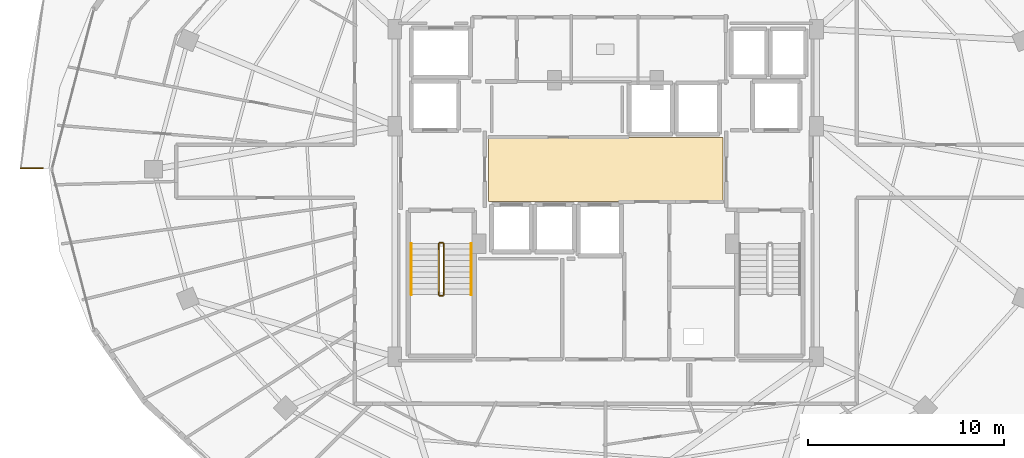
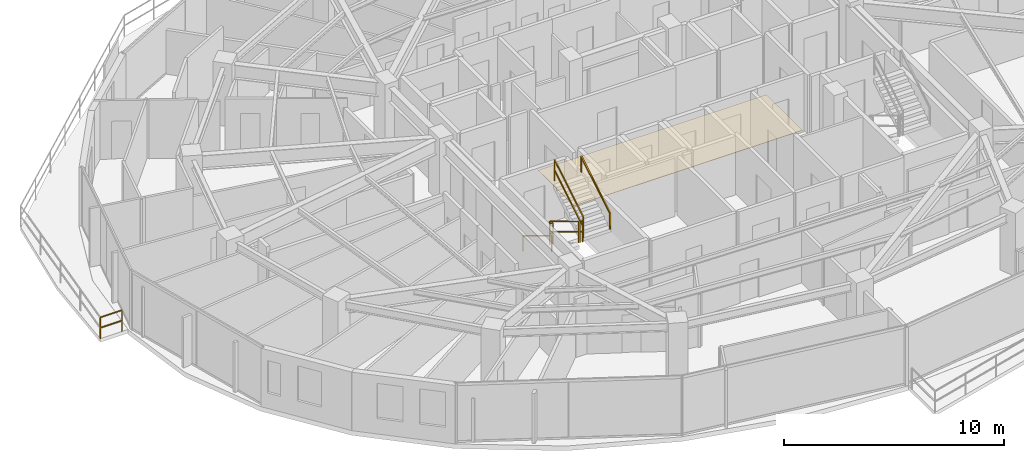
# One storey, part 30 of 33: 7 railings, 1 covering.
"""IFC4 building model written with IfcOpenShell, lengths in metres."""

from ifc_helpers import new_model, si_unit, direction, frame, origin, origin_2d, place, context, subcontext, project, spatial, polyline, rectangle, outline, extrude, material, layer, layer_set, type_object, element, save


model = new_model("IFC4")

# Units and contexts
model_context = context("Model", 3, precision=1e-05, world=origin(), true_north=direction((0.0, 1.0)))
body_context = subcontext(model_context, "Body", "Model", "MODEL_VIEW")
ifc_project = project(units=[si_unit("LENGTHUNIT", "METRE"), si_unit("AREAUNIT", "SQUARE_METRE"), si_unit("VOLUMEUNIT", "CUBIC_METRE"), si_unit("PLANEANGLEUNIT", "RADIAN"), si_unit("MASSUNIT", "GRAM", prefix="KILO")], contexts=[model_context])

# Site, building, storey
site_placement = place(None, origin())
site = spatial("IfcSite", under=ifc_project, at=site_placement, CompositionType="ELEMENT")
building_placement = place(site_placement, origin())
building = spatial("IfcBuilding", under=site, at=building_placement, Name="Vorneva Point Tower", CompositionType="ELEMENT")
storey_placement = place(building_placement, frame((0.0, 0.0, 196.60009765625)))
storey = spatial("IfcBuildingStorey", under=building, at=storey_placement, Name="L53", CompositionType="ELEMENT", Elevation=196.60009765625)

# Covering
ifc_material_1 = material(Name="Acoustic wool hospitality carpet", Category="textile")
ifc_layer = layer(ifc_material_1, 0.01806640625)
ifc_layer_set = layer_set([ifc_layer], Name="Acoustic wool hospitality carpet")
covering_type = type_object("IfcCoveringType", Name="COV-FLR-CRP", PredefinedType="FLOORING", material=ifc_layer_set)
covering_placement = place(storey_placement, frame((0.0, 0.0, -0.005126953125)))
element("IfcCovering", 1, at=covering_placement, inside=storey, type_object=covering_type, Name="L53 Lift Lobby Floor Finish", PredefinedType="FLOORING", context=body_context, shape_type="SweptSolid", body=[
    extrude(outline(polyline([(32.02001953125, 24.3701171875), (43.97998046875, 24.3701171875), (43.97998046875, 27.6298828125), (32.02001953125, 27.6298828125), (32.02001953125, 24.3701171875)])), origin(), (0.0, 0.0, 1.0), 0.02294921875),
])

# Railings
ifc_material_2 = material(Name="Pale anodised aluminium", Category="aluminium")
railing_type_1 = type_object("IfcRailingType", Name="RL-BAL-1200", PredefinedType="BALUSTRADE", material=ifc_material_2)
railing_1_placement = place(storey_placement, frame((8.1689453125, 26.050048828125, 0.0)))
element("IfcRailing", 2, at=railing_1_placement, inside=storey, type_object=railing_type_1, Name="L53 Wave Balcony Balustrade NW.1", PredefinedType="BALUSTRADE", context=body_context, shape_type="SweptSolid", body=[
    extrude(rectangle(XDim=0.048095703125, YDim=0.048095703125, at=origin_2d()), frame((0.0, 0.0, 1.17578125), z_axis=(1.0, 0.0, 0.0), x_axis=(0.0, 1.0, 0.0)), (0.0, 0.0, 1.0), 1.134765625),
    extrude(rectangle(XDim=0.048095703125, YDim=0.048095703125, at=origin_2d()), frame((0.0, 0.0, 0.60009765625), z_axis=(1.0, 0.0, 0.0), x_axis=(0.0, 1.0, 0.0)), (0.0, 0.0, 1.0), 1.134765625),
    extrude(rectangle(XDim=0.0419921875, YDim=0.0419921875, at=origin_2d()), origin(), (0.0, 0.0, 1.0), 1.15185546875),
    extrude(rectangle(XDim=0.0419921875, YDim=0.0419921875, at=origin_2d()), frame((1.134765625, 0.0, 0.0)), (0.0, 0.0, 1.0), 1.15185546875),
])
ifc_material_3 = material(Name="Brushed stainless steel S304", Category="steel")
railing_type_2 = type_object("IfcRailingType", Name="RL-HND-920", PredefinedType="HANDRAIL", material=ifc_material_3)
railing_2_placement = place(storey_placement, frame((28.10009765625, 22.219970703125, 0.1748046875)))
element("IfcRailing", 3, at=railing_2_placement, inside=storey, type_object=railing_type_2, Name="L53 ST1 stair handrail 1", PredefinedType="HANDRAIL", context=body_context, shape_type="SweptSolid", body=[
    extrude(rectangle(XDim=0.048095703125, YDim=0.048095703125, at=origin_2d()), frame((0.0, 0.0, 0.8759765625), z_axis=(0.0, -0.856147343639, 0.516731773728), x_axis=(1.0, 0.0, 0.0)), (0.0, 0.0, 1.0), 3.04833984375),
    extrude(rectangle(XDim=0.0419921875, YDim=0.0419921875, at=origin_2d()), origin(), (0.0, 0.0, 1.0), 0.851806640625),
    extrude(rectangle(XDim=0.0419921875, YDim=0.0419921875, at=origin_2d()), frame((0.0, -2.60986328125, 1.5751953125)), (0.0, 0.0, 1.0), 0.851806640625),
])
railing_3_placement = place(storey_placement, frame((31.14990234375, 19.610107421875, 1.9248046875)))
element("IfcRailing", 4, at=railing_3_placement, inside=storey, type_object=railing_type_2, Name="L53 ST1 stair handrail 2", PredefinedType="HANDRAIL", context=body_context, shape_type="SweptSolid", body=[
    extrude(rectangle(XDim=0.048095703125, YDim=0.048095703125, at=origin_2d()), frame((0.0, 0.0, 0.8759765625), z_axis=(0.0, 0.856147343639, 0.516731773728), x_axis=(-1.0, 0.0, 0.0)), (0.0, 0.0, 1.0), 3.04833984375),
    extrude(rectangle(XDim=0.0419921875, YDim=0.0419921875, at=origin_2d()), origin(), (0.0, 0.0, 1.0), 0.851806640625),
    extrude(rectangle(XDim=0.0419921875, YDim=0.0419921875, at=origin_2d()), frame((0.0, 2.60986328125, 1.5751953125)), (0.0, 0.0, 1.0), 0.851806640625),
])
railing_type_3 = type_object("IfcRailingType", Name="RL-STG-1100", PredefinedType="GUARDRAIL", material=ifc_material_3)
railing_4_placement = place(storey_placement, frame((29.5, 22.219970703125, 0.1748046875)))
element("IfcRailing", 5, at=railing_4_placement, inside=storey, type_object=railing_type_3, Name="L53 ST1 stair guard 1", PredefinedType="GUARDRAIL", context=body_context, shape_type="SweptSolid", body=[
    extrude(rectangle(XDim=0.048095703125, YDim=0.048095703125, at=origin_2d()), frame((0.0, 0.0, 1.17578125), z_axis=(0.0, -0.856147343639, 0.516731773728), x_axis=(1.0, 0.0, 0.0)), (0.0, 0.0, 1.0), 3.04833984375),
    extrude(rectangle(XDim=0.048095703125, YDim=0.048095703125, at=origin_2d()), frame((0.0, 0.0, 0.60009765625), z_axis=(0.0, -0.856147343639, 0.516731773728), x_axis=(1.0, 0.0, 0.0)), (0.0, 0.0, 1.0), 3.04833984375),
    extrude(rectangle(XDim=0.0419921875, YDim=0.0419921875, at=origin_2d()), origin(), (0.0, 0.0, 1.0), 1.15185546875),
    extrude(rectangle(XDim=0.0419921875, YDim=0.0419921875, at=origin_2d()), frame((0.0, -2.60986328125, 1.5751953125)), (0.0, 0.0, 1.0), 1.15185546875),
])
railing_5_placement = place(storey_placement, frame((29.550048828125, 19.56005859375, 1.75)))
element("IfcRailing", 6, at=railing_5_placement, inside=storey, type_object=railing_type_3, Name="L53 ST1 stair guard 2", PredefinedType="GUARDRAIL", context=body_context, shape_type="SweptSolid", body=[
    extrude(rectangle(XDim=0.048095703125, YDim=0.048095703125, at=origin_2d()), frame((0.0, 0.0, 1.17578125), z_axis=(1.0, 0.0, 0.0), x_axis=(0.0, 1.0, 0.0)), (0.0, 0.0, 1.0), 0.14990234375),
    extrude(rectangle(XDim=0.048095703125, YDim=0.048095703125, at=origin_2d()), frame((0.0, 0.0, 0.60009765625), z_axis=(1.0, 0.0, 0.0), x_axis=(0.0, 1.0, 0.0)), (0.0, 0.0, 1.0), 0.14990234375),
    extrude(rectangle(XDim=0.0419921875, YDim=0.0419921875, at=origin_2d()), origin(), (0.0, 0.0, 1.0), 1.15185546875),
    extrude(rectangle(XDim=0.0419921875, YDim=0.0419921875, at=origin_2d()), frame((0.14990234375, 0.0, 0.0)), (0.0, 0.0, 1.0), 1.15185546875),
])
railing_6_placement = place(storey_placement, frame((29.75, 19.610107421875, 1.9248046875)))
element("IfcRailing", 7, at=railing_6_placement, inside=storey, type_object=railing_type_3, Name="L53 ST1 stair guard 3", PredefinedType="GUARDRAIL", context=body_context, shape_type="SweptSolid", body=[
    extrude(rectangle(XDim=0.048095703125, YDim=0.048095703125, at=origin_2d()), frame((0.0, 0.0, 1.17578125), z_axis=(0.0, 0.856147343639, 0.516731773728), x_axis=(-1.0, 0.0, 0.0)), (0.0, 0.0, 1.0), 3.04833984375),
    extrude(rectangle(XDim=0.048095703125, YDim=0.048095703125, at=origin_2d()), frame((0.0, 0.0, 0.60009765625), z_axis=(0.0, 0.856147343639, 0.516731773728), x_axis=(-1.0, 0.0, 0.0)), (0.0, 0.0, 1.0), 3.04833984375),
    extrude(rectangle(XDim=0.0419921875, YDim=0.0419921875, at=origin_2d()), origin(), (0.0, 0.0, 1.0), 1.15185546875),
    extrude(rectangle(XDim=0.0419921875, YDim=0.0419921875, at=origin_2d()), frame((0.0, 2.60986328125, 1.5751953125)), (0.0, 0.0, 1.0), 1.15185546875),
])
railing_7_placement = place(storey_placement, frame((29.550048828125, 22.27001953125, 0.0)))
element("IfcRailing", 8, at=railing_7_placement, inside=storey, type_object=railing_type_3, Name="L53 ST1 stair guard 4", PredefinedType="GUARDRAIL", context=body_context, shape_type="SweptSolid", body=[
    extrude(rectangle(XDim=0.048095703125, YDim=0.048095703125, at=origin_2d()), frame((0.0, 0.0, 1.17578125), z_axis=(1.0, 0.0, 0.0), x_axis=(0.0, 1.0, 0.0)), (0.0, 0.0, 1.0), 0.14990234375),
    extrude(rectangle(XDim=0.048095703125, YDim=0.048095703125, at=origin_2d()), frame((0.0, 0.0, 0.60009765625), z_axis=(1.0, 0.0, 0.0), x_axis=(0.0, 1.0, 0.0)), (0.0, 0.0, 1.0), 0.14990234375),
    extrude(rectangle(XDim=0.0419921875, YDim=0.0419921875, at=origin_2d()), origin(), (0.0, 0.0, 1.0), 1.15185546875),
    extrude(rectangle(XDim=0.0419921875, YDim=0.0419921875, at=origin_2d()), frame((0.14990234375, 0.0, 0.0)), (0.0, 0.0, 1.0), 1.15185546875),
])

save(model, "model.ifc")
